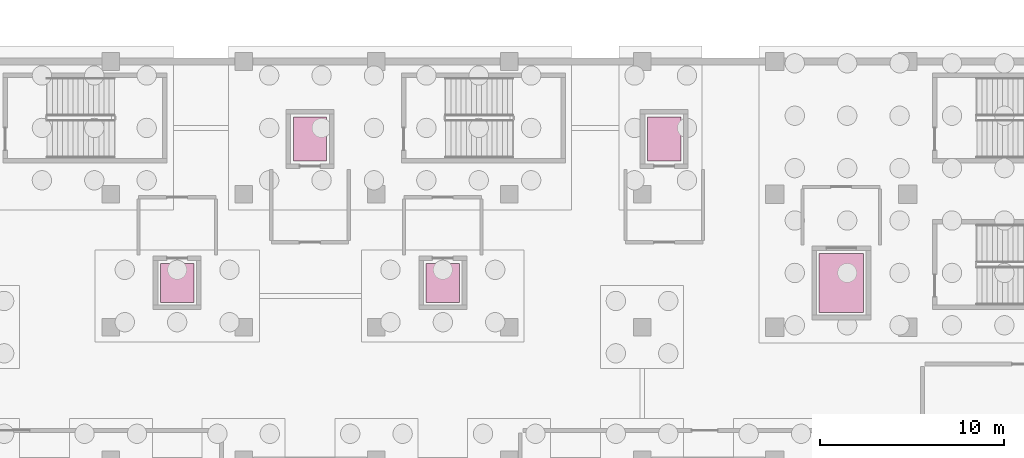
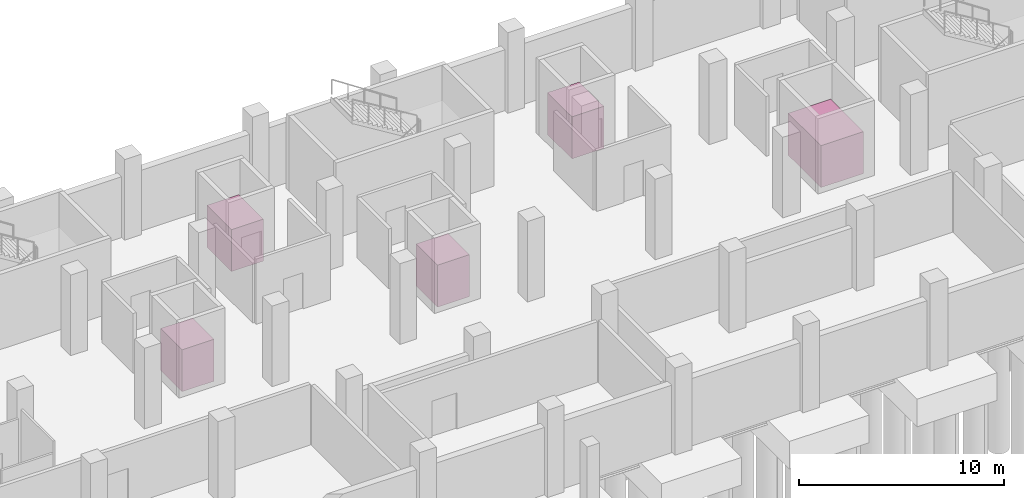
# One storey, part 10 of 10: 5 transport elements.
"""IFC4 building model written with IfcOpenShell, lengths in metres."""

from ifc_helpers import new_model, si_unit, direction, frame, origin, origin_2d, place, context, subcontext, project, spatial, rectangle, extrude, material, type_object, element, save


model = new_model("IFC4")

# Units and contexts
model_context = context("Model", 3, precision=1e-05, world=origin(), true_north=direction((0.0, 1.0)))
body_context = subcontext(model_context, "Body", "Model", "MODEL_VIEW")
ifc_project = project(units=[si_unit("LENGTHUNIT", "METRE"), si_unit("AREAUNIT", "SQUARE_METRE"), si_unit("VOLUMEUNIT", "CUBIC_METRE"), si_unit("PLANEANGLEUNIT", "RADIAN"), si_unit("MASSUNIT", "GRAM", prefix="KILO")], contexts=[model_context])

# Site, building, storey
site_placement = place(None, origin())
site = spatial("IfcSite", under=ifc_project, at=site_placement, CompositionType="ELEMENT")
building_placement = place(site_placement, origin())
building = spatial("IfcBuilding", under=site, at=building_placement, Name="Cendralis Lancet Convention Centre", CompositionType="ELEMENT")
storey_placement = place(building_placement, frame((0.0, 0.0, -4.800048828125)))
storey = spatial("IfcBuildingStorey", under=building, at=storey_placement, Name="B1", CompositionType="ELEMENT", Elevation=-4.800048828125)

# Transport elements
ifc_material = material(Name="Steel S355", Category="steel")
transport_element_type_1 = type_object("IfcTransportElementType", Name="ARC-LF-FF20", PredefinedType="ELEVATOR", material=ifc_material)
for number, where, z_axis, x_axis, name in (
    (1, (164.39990234375, 31.800048828125, 0.0), (0.0, 0.0, 1.0), (1.0, 0.0, 0.0), "Firefighting Lift LF-01"),
    (2, (183.60009765625, 31.800048828125, 0.0), (0.0, 0.0, 1.0), (1.0, 0.0, 0.0), "Firefighting Lift LF-02"),
):
    element("IfcTransportElement", number, at=place(storey_placement, frame(where, z_axis=z_axis, x_axis=x_axis)), inside=storey, type_object=transport_element_type_1, Name=name, PredefinedType="ELEVATOR", context=body_context, shape_type="SweptSolid", body=[
        extrude(rectangle(XDim=1.800048828125, YDim=2.39990234375, at=origin_2d()), origin(), (0.0, 0.0, 1.0), 2.5),
    ])
transport_element_type_2 = type_object("IfcTransportElementType", Name="ARC-LF-GD45", PredefinedType="ELEVATOR", material=ifc_material)
transport_element_placement = place(storey_placement, frame((193.199951171875, 24.0, 0.0), z_axis=(0.0, 0.0, 1.0), x_axis=(1.0, 0.0, 0.0)))
element("IfcTransportElement", 3, at=transport_element_placement, inside=storey, type_object=transport_element_type_2, Name="Passenger/Goods Lift LG-04", PredefinedType="ELEVATOR", context=body_context, shape_type="SweptSolid", body=[
    extrude(rectangle(XDim=2.39990234375, YDim=3.199951171875, at=origin_2d()), origin(), (0.0, 0.0, 1.0), 2.5),
])
transport_element_type_3 = type_object("IfcTransportElementType", Name="ARC-LF-PA16", PredefinedType="ELEVATOR", material=ifc_material)
for number, where, z_axis, x_axis, name in (
    (4, (157.199951171875, 24.0, 0.0), (0.0, 0.0, 1.0), (1.0, 0.0, 0.0), "Passenger/Goods Lift LP-01"),
    (5, (171.60009765625, 24.0, 0.0), (0.0, 0.0, 1.0), (1.0, 0.0, 0.0), "Passenger/Goods Lift LP-02"),
):
    element("IfcTransportElement", number, at=place(storey_placement, frame(where, z_axis=z_axis, x_axis=x_axis)), inside=storey, type_object=transport_element_type_3, Name=name, PredefinedType="ELEVATOR", context=body_context, shape_type="SweptSolid", body=[
        extrude(rectangle(XDim=1.800048828125, YDim=2.10009765625, at=origin_2d()), origin(), (0.0, 0.0, 1.0), 2.5),
    ])

save(model, "model.ifc")
